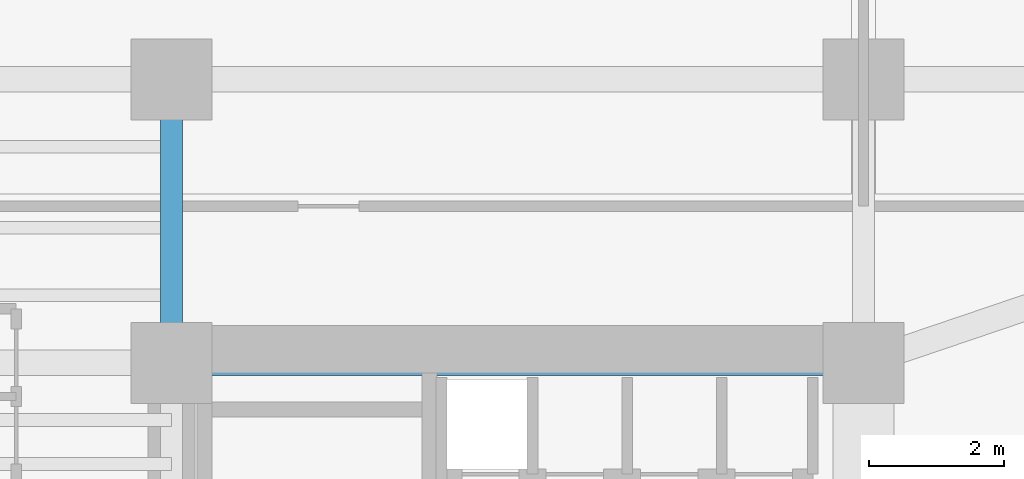
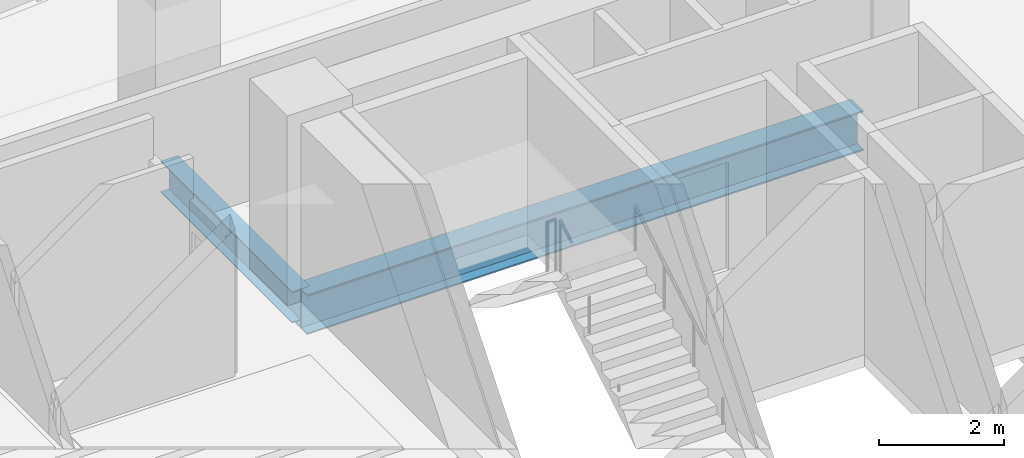
# One storey, part 9 of 35: 2 beams.
"""IFC4 building model written with IfcOpenShell, lengths in metres."""

from ifc_helpers import new_model, si_unit, direction, frame, origin, origin_2d, place, context, subcontext, project, spatial, i_section, extrude, source, transform, mapped, material, material_profile, profile_set, type_object, element, save


model = new_model("IFC4")

# Units and contexts
model_context = context("Model", 3, precision=1e-05, world=origin(), true_north=direction((0.0, 1.0)))
body_context = subcontext(model_context, "Body", "Model", "MODEL_VIEW")
ifc_project = project(units=[si_unit("LENGTHUNIT", "METRE"), si_unit("AREAUNIT", "SQUARE_METRE"), si_unit("VOLUMEUNIT", "CUBIC_METRE"), si_unit("PLANEANGLEUNIT", "RADIAN"), si_unit("MASSUNIT", "GRAM", prefix="KILO")], contexts=[model_context])

# Site, building, storey
site_placement = place(None, origin())
site = spatial("IfcSite", under=ifc_project, at=site_placement, CompositionType="ELEMENT")
building_placement = place(site_placement, origin())
building = spatial("IfcBuilding", under=site, at=building_placement, Name="Valdorenza Pilgrim Sanctuary Tower", CompositionType="ELEMENT")
storey_placement = place(building_placement, frame((0.0, 0.0, 124.199951171875)))
storey = spatial("IfcBuildingStorey", under=building, at=storey_placement, Name="L31", CompositionType="ELEMENT", Elevation=124.199951171875)

# Beams
ifc_material = material(Name="Steel ASTM A992 Grade 50", Category="steel")
ifc_material_profile_1 = material_profile(ifc_material, i_section(OverallWidth=0.323974609375, OverallDepth=0.611083984375, WebThickness=0.0126953125, FlangeThickness=0.01904296875, at=origin_2d()), Name="W24X104")
ifc_profile_set_1 = profile_set([ifc_material_profile_1], Name="Steel ASTM A992 Grade 50")
beam_type_1 = type_object("IfcBeamType", Name="STR-BM-GRD-W24B", PredefinedType="BEAM", material=ifc_profile_set_1)
shared_shape_1 = source(origin(), body_context, "Body", "SweptSolid", [
    extrude(i_section(OverallWidth=0.323974609375, OverallDepth=0.611083984375, WebThickness=0.0126953125, FlangeThickness=0.01904296875, at=origin_2d()), origin(), (0.0, 0.0, 1.0), 4.199951171875),
])
beam_1_placement = place(storey_placement, frame((-22.64990234375, 10.60009765625, -0.54541015625), z_axis=(0.0, 1.0, 0.0), x_axis=(-1.0, 0.0, 0.0)))
element("IfcBeam", 1, at=beam_1_placement, inside=storey, type_object=beam_type_1, Name="L31 Core Tie Girder CA-W-N1N2", PredefinedType="BEAM", context=body_context, shape_type="MappedRepresentation", body=[
    mapped(shared_shape_1, transform((0.0, 0.0, 0.0), x_axis=(1.0, 0.0, 0.0), y_axis=(0.0, 1.0, 0.0), z_axis=(0.0, 0.0, 1.0), scale=1.0)),
])
ifc_material_profile_2 = material_profile(ifc_material, i_section(OverallWidth=0.382080078125, OverallDepth=0.779052734375, WebThickness=0.01806640625, FlangeThickness=0.030029296875, at=origin_2d()), Name="W30X191")
ifc_profile_set_2 = profile_set([ifc_material_profile_2], Name="Steel ASTM A992 Grade 50")
beam_type_2 = type_object("IfcBeamType", Name="STR-BM-GRD-W30", PredefinedType="BEAM", material=ifc_profile_set_2)
shared_shape_2 = source(origin(), body_context, "Body", "SweptSolid", [
    extrude(i_section(OverallWidth=0.382080078125, OverallDepth=0.779052734375, WebThickness=0.01806640625, FlangeThickness=0.030029296875, at=origin_2d()), origin(), (0.0, 0.0, 1.0), 10.25),
])
beam_2_placement = place(storey_placement, frame((-22.64990234375, 10.60009765625, -0.62939453125), z_axis=(1.0, 0.0, 0.0), x_axis=(0.0, 1.0, 0.0)))
element("IfcBeam", 2, at=beam_2_placement, inside=storey, type_object=beam_type_2, Name="L31 Floor Girder CA-XC-N1", PredefinedType="BEAM", context=body_context, shape_type="MappedRepresentation", body=[
    mapped(shared_shape_2, transform((0.0, 0.0, 0.0), x_axis=(1.0, 0.0, 0.0), y_axis=(0.0, 1.0, 0.0), z_axis=(0.0, 0.0, 1.0), scale=1.0)),
])

save(model, "model.ifc")
